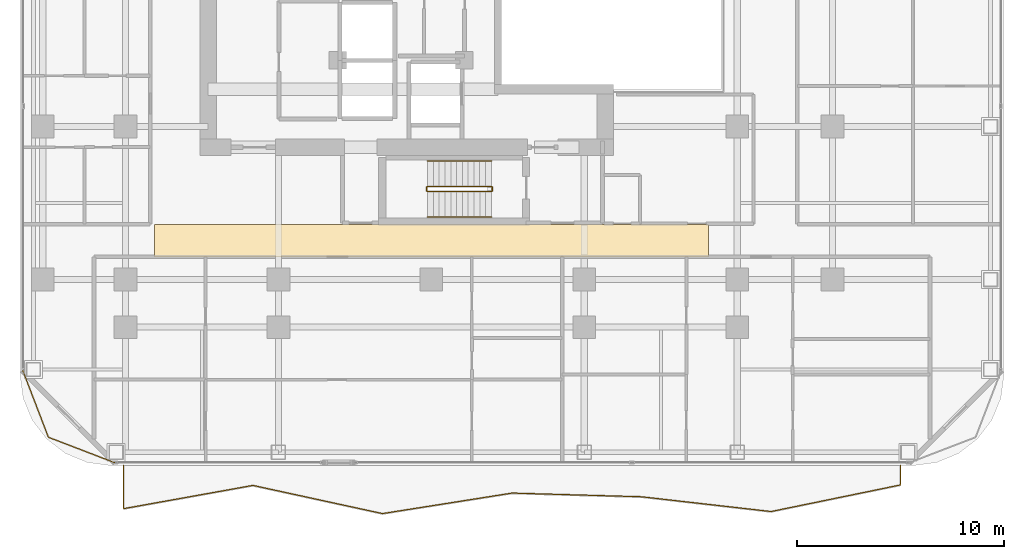
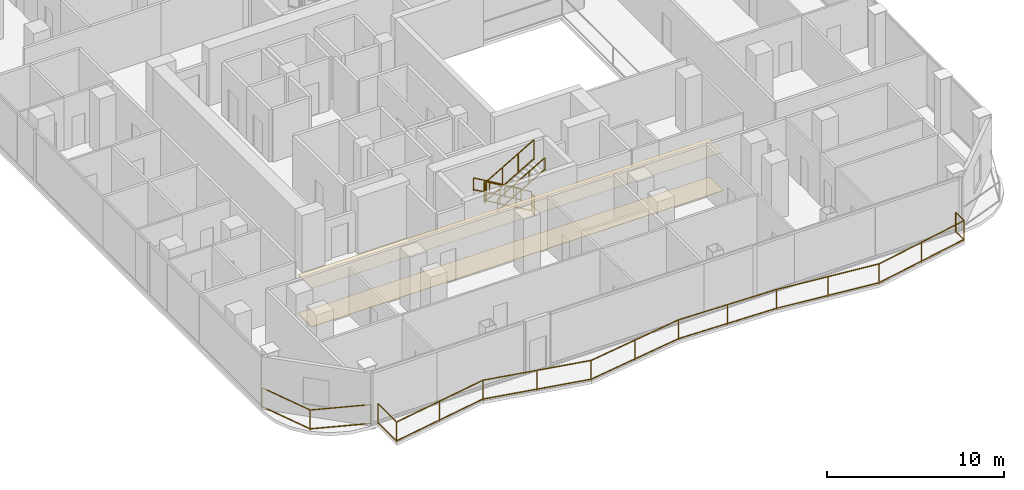
# One storey, part 25 of 27: 8 railings, 2 coverings.
"""IFC4 building model written with IfcOpenShell, lengths in metres."""

from ifc_helpers import new_model, si_unit, direction, frame, origin, origin_2d, place, context, subcontext, project, spatial, polyline, rectangle, outline, extrude, material, layer, layer_set, type_object, element, save


model = new_model("IFC4")

# Units and contexts
model_context = context("Model", 3, precision=1e-05, world=origin(), true_north=direction((0.0, 1.0)))
body_context = subcontext(model_context, "Body", "Model", "MODEL_VIEW")
ifc_project = project(units=[si_unit("LENGTHUNIT", "METRE"), si_unit("AREAUNIT", "SQUARE_METRE"), si_unit("VOLUMEUNIT", "CUBIC_METRE"), si_unit("PLANEANGLEUNIT", "RADIAN"), si_unit("MASSUNIT", "GRAM", prefix="KILO")], contexts=[model_context])

# Site, building, storey
site_placement = place(None, origin())
site = spatial("IfcSite", under=ifc_project, at=site_placement, CompositionType="ELEMENT")
building_placement = place(site_placement, origin())
building = spatial("IfcBuilding", under=site, at=building_placement, Name="Khorvyn Point Tower", CompositionType="ELEMENT")
storey_placement = place(building_placement, frame((0.0, 0.0, 164.10009765625)))
storey = spatial("IfcBuildingStorey", under=building, at=storey_placement, Name="L40", CompositionType="ELEMENT", Elevation=164.10009765625)

# Railings
ifc_material_1 = material(Name="Anodised aluminium 6063-T6 and laminated safety glass", Category="aluminium")
railing_type_1 = type_object("IfcRailingType", Name="Laminated Glass and Aluminium Balcony Guardrail 1400", PredefinedType="BALUSTRADE", material=ifc_material_1)
railing_1_placement = place(storey_placement, frame((-19.774169921875, -19.176025390625, 0.0)))
element("IfcRailing", 1, at=railing_1_placement, inside=storey, type_object=railing_type_1, Name="L40 Rounded Corner Edge Guardrail SW", PredefinedType="BALUSTRADE", context=body_context, shape_type="SweptSolid", body=[
    extrude(rectangle(XDim=0.048095703125, YDim=0.048095703125, at=origin_2d()), frame((0.0, 0.0, 1.3759765625), z_axis=(0.358382264808, -0.933574931257, 0.0), x_axis=(0.933574931257, 0.358382264808, 0.0)), (0.0, 0.0, 1.0), 3.481689453125),
    extrude(rectangle(XDim=0.048095703125, YDim=0.048095703125, at=origin_2d()), frame((0.0, 0.0, 0.080078125), z_axis=(0.358382264808, -0.933574931257, 0.0), x_axis=(0.933574931257, 0.358382264808, 0.0)), (0.0, 0.0, 1.0), 3.481689453125),
    extrude(rectangle(XDim=0.048095703125, YDim=0.048095703125, at=origin_2d()), frame((1.247802734375, -3.25048828125, 1.3759765625), z_axis=(0.933598390295, -0.358321148746, 0.0), x_axis=(0.358321148746, 0.933598390295, 0.0)), (0.0, 0.0, 1.0), 3.481689453125),
    extrude(rectangle(XDim=0.048095703125, YDim=0.048095703125, at=origin_2d()), frame((1.247802734375, -3.25048828125, 0.080078125), z_axis=(0.933598390295, -0.358321148746, 0.0), x_axis=(0.358321148746, 0.933598390295, 0.0)), (0.0, 0.0, 1.0), 3.481689453125),
    extrude(rectangle(XDim=0.0419921875, YDim=0.0419921875, at=origin_2d()), origin(), (0.0, 0.0, 1.0), 1.351806640625),
    extrude(rectangle(XDim=0.0419921875, YDim=0.0419921875, at=origin_2d()), frame((1.247802734375, -3.25048828125, 0.0)), (0.0, 0.0, 1.0), 1.351806640625),
    extrude(rectangle(XDim=0.0419921875, YDim=0.0419921875, at=origin_2d()), frame((4.498291015625, -4.498046875, 0.0)), (0.0, 0.0, 1.0), 1.351806640625),
])
railing_2_placement = place(storey_placement, frame((-14.89990234375, -23.800048828125, 0.0)))
element("IfcRailing", 2, at=railing_2_placement, inside=storey, type_object=railing_type_1, Name="L40 South Balcony Guardrail", PredefinedType="BALUSTRADE", context=body_context, shape_type="SweptSolid", body=[
    extrude(rectangle(XDim=0.048095703125, YDim=0.048095703125, at=origin_2d()), frame((0.0, 0.0, 1.3759765625), z_axis=(0.0, -1.0, 0.0), x_axis=(1.0, 0.0, 0.0)), (0.0, 0.0, 1.0), 2.08349609375),
    extrude(rectangle(XDim=0.048095703125, YDim=0.048095703125, at=origin_2d()), frame((0.0, 0.0, 0.080078125), z_axis=(0.0, -1.0, 0.0), x_axis=(1.0, 0.0, 0.0)), (0.0, 0.0, 1.0), 2.08349609375),
    extrude(rectangle(XDim=0.048095703125, YDim=0.048095703125, at=origin_2d()), frame((0.0, -2.08349609375, 1.3759765625), z_axis=(0.984225013532, 0.176921233148, 0.0), x_axis=(-0.176921233148, 0.984225013532, 0.0)), (0.0, 0.0, 1.0), 6.366943359375),
    extrude(rectangle(XDim=0.048095703125, YDim=0.048095703125, at=origin_2d()), frame((0.0, -2.08349609375, 0.080078125), z_axis=(0.984225013532, 0.176921233148, 0.0), x_axis=(-0.176921233148, 0.984225013532, 0.0)), (0.0, 0.0, 1.0), 6.366943359375),
    extrude(rectangle(XDim=0.048095703125, YDim=0.048095703125, at=origin_2d()), frame((6.2666015625, -0.95703125, 1.3759765625), z_axis=(0.97716055631, -0.212502346319, 0.0), x_axis=(0.212502346319, 0.97716055631, 0.0)), (0.0, 0.0, 1.0), 6.4130859375),
    extrude(rectangle(XDim=0.048095703125, YDim=0.048095703125, at=origin_2d()), frame((6.2666015625, -0.95703125, 0.080078125), z_axis=(0.97716055631, -0.212502346319, 0.0), x_axis=(0.212502346319, 0.97716055631, 0.0)), (0.0, 0.0, 1.0), 6.4130859375),
    extrude(rectangle(XDim=0.048095703125, YDim=0.048095703125, at=origin_2d()), frame((12.533203125, -2.31982421875, 1.3759765625), z_axis=(0.987714557358, 0.156268849051, 0.0), x_axis=(-0.156268849051, 0.987714557358, 0.0)), (0.0, 0.0, 1.0), 6.344482421875),
    extrude(rectangle(XDim=0.048095703125, YDim=0.048095703125, at=origin_2d()), frame((12.533203125, -2.31982421875, 0.080078125), z_axis=(0.987714557358, 0.156268849051, 0.0), x_axis=(-0.156268849051, 0.987714557358, 0.0)), (0.0, 0.0, 1.0), 6.344482421875),
    extrude(rectangle(XDim=0.048095703125, YDim=0.048095703125, at=origin_2d()), frame((18.7998046875, -1.328369140625, 1.3759765625), z_axis=(0.999594750209, -0.028466389902, 0.0), x_axis=(0.028466389902, 0.999594750209, 0.0)), (0.0, 0.0, 1.0), 6.269287109375),
    extrude(rectangle(XDim=0.048095703125, YDim=0.048095703125, at=origin_2d()), frame((18.7998046875, -1.328369140625, 0.080078125), z_axis=(0.999594750209, -0.028466389902, 0.0), x_axis=(0.028466389902, 0.999594750209, 0.0)), (0.0, 0.0, 1.0), 6.269287109375),
    extrude(rectangle(XDim=0.048095703125, YDim=0.048095703125, at=origin_2d()), frame((25.066650390625, -1.5068359375, 1.3759765625), z_axis=(0.993569675103, -0.113222350774, 0.0), x_axis=(0.113222350774, 0.993569675103, 0.0)), (0.0, 0.0, 1.0), 6.30712890625),
    extrude(rectangle(XDim=0.048095703125, YDim=0.048095703125, at=origin_2d()), frame((25.066650390625, -1.5068359375, 0.080078125), z_axis=(0.993569675103, -0.113222350774, 0.0), x_axis=(0.113222350774, 0.993569675103, 0.0)), (0.0, 0.0, 1.0), 6.30712890625),
    extrude(rectangle(XDim=0.048095703125, YDim=0.048095703125, at=origin_2d()), frame((31.333251953125, -2.220947265625, 1.3759765625), z_axis=(0.979506669863, 0.201411726801, 0.0), x_axis=(-0.201411726801, 0.979506669863, 0.0)), (0.0, 0.0, 1.0), 6.397705078125),
    extrude(rectangle(XDim=0.048095703125, YDim=0.048095703125, at=origin_2d()), frame((31.333251953125, -2.220947265625, 0.080078125), z_axis=(0.979506669863, 0.201411726801, 0.0), x_axis=(-0.201411726801, 0.979506669863, 0.0)), (0.0, 0.0, 1.0), 6.397705078125),
    extrude(rectangle(XDim=0.048095703125, YDim=0.048095703125, at=origin_2d()), frame((37.599853515625, -0.932373046875, 1.3759765625), z_axis=(0.0, 1.0, 0.0), x_axis=(-1.0, 0.0, 0.0)), (0.0, 0.0, 1.0), 0.932373046875),
    extrude(rectangle(XDim=0.048095703125, YDim=0.048095703125, at=origin_2d()), frame((37.599853515625, -0.932373046875, 0.080078125), z_axis=(0.0, 1.0, 0.0), x_axis=(-1.0, 0.0, 0.0)), (0.0, 0.0, 1.0), 0.932373046875),
    extrude(rectangle(XDim=0.0419921875, YDim=0.0419921875, at=origin_2d()), origin(), (0.0, 0.0, 1.0), 1.351806640625),
    extrude(rectangle(XDim=0.0419921875, YDim=0.0419921875, at=origin_2d()), frame((0.0, -2.08349609375, 0.0)), (0.0, 0.0, 1.0), 1.351806640625),
    extrude(rectangle(XDim=0.0419921875, YDim=0.0419921875, at=origin_2d()), frame((3.13330078125, -1.520263671875, 0.0)), (0.0, 0.0, 1.0), 1.351806640625),
    extrude(rectangle(XDim=0.0419921875, YDim=0.0419921875, at=origin_2d()), frame((6.2666015625, -0.95703125, 0.0)), (0.0, 0.0, 1.0), 1.351806640625),
    extrude(rectangle(XDim=0.0419921875, YDim=0.0419921875, at=origin_2d()), frame((9.39990234375, -1.638427734375, 0.0)), (0.0, 0.0, 1.0), 1.351806640625),
    extrude(rectangle(XDim=0.0419921875, YDim=0.0419921875, at=origin_2d()), frame((12.533203125, -2.31982421875, 0.0)), (0.0, 0.0, 1.0), 1.351806640625),
    extrude(rectangle(XDim=0.0419921875, YDim=0.0419921875, at=origin_2d()), frame((15.66650390625, -1.82421875, 0.0)), (0.0, 0.0, 1.0), 1.351806640625),
    extrude(rectangle(XDim=0.0419921875, YDim=0.0419921875, at=origin_2d()), frame((18.7998046875, -1.328369140625, 0.0)), (0.0, 0.0, 1.0), 1.351806640625),
    extrude(rectangle(XDim=0.0419921875, YDim=0.0419921875, at=origin_2d()), frame((21.93310546875, -1.41748046875, 0.0)), (0.0, 0.0, 1.0), 1.351806640625),
    extrude(rectangle(XDim=0.0419921875, YDim=0.0419921875, at=origin_2d()), frame((25.066650390625, -1.5068359375, 0.0)), (0.0, 0.0, 1.0), 1.351806640625),
    extrude(rectangle(XDim=0.0419921875, YDim=0.0419921875, at=origin_2d()), frame((28.199951171875, -1.86376953125, 0.0)), (0.0, 0.0, 1.0), 1.351806640625),
    extrude(rectangle(XDim=0.0419921875, YDim=0.0419921875, at=origin_2d()), frame((31.333251953125, -2.220947265625, 0.0)), (0.0, 0.0, 1.0), 1.351806640625),
    extrude(rectangle(XDim=0.0419921875, YDim=0.0419921875, at=origin_2d()), frame((34.466552734375, -1.57666015625, 0.0)), (0.0, 0.0, 1.0), 1.351806640625),
    extrude(rectangle(XDim=0.0419921875, YDim=0.0419921875, at=origin_2d()), frame((37.599853515625, -0.932373046875, 0.0)), (0.0, 0.0, 1.0), 1.351806640625),
    extrude(rectangle(XDim=0.0419921875, YDim=0.0419921875, at=origin_2d()), frame((37.599853515625, 0.0, 0.0)), (0.0, 0.0, 1.0), 1.351806640625),
])

# Coverings
ifc_material_2 = material(Name="Mineral-fibre acoustic ceiling board", Category="gypsum")
ifc_layer_1 = layer(ifc_material_2, 0.02001953125)
ifc_layer_set_1 = layer_set([ifc_layer_1], Name="Perforated Mineral-Fibre Acoustic Suspended Ceiling 20")
covering_type_1 = type_object("IfcCoveringType", Name="Perforated Mineral-Fibre Acoustic Suspended Ceiling 20", PredefinedType="CEILING", material=ifc_layer_set_1)
covering_1_placement = place(storey_placement, frame((0.0, 0.0, 2.639892578125)))
element("IfcCovering", 3, at=covering_1_placement, inside=storey, type_object=covering_type_1, Name="L40 South Corridor Acoustic Ceiling", PredefinedType="CEILING", context=body_context, shape_type="SweptSolid", body=[
    extrude(outline(polyline([(-13.39990234375, -13.7099609375), (13.39990234375, -13.7099609375), (13.39990234375, -12.139892578125), (-13.39990234375, -12.139892578125), (-13.39990234375, -13.7099609375)])), origin(), (0.0, 0.0, 1.0), 0.02001953125),
])
ifc_material_3 = material(Name="Vitrified porcelain terrazzo tile", Category="ceramic")
ifc_layer_2 = layer(ifc_material_3, 0.01806640625)
ifc_layer_set_2 = layer_set([ifc_layer_2], Name="Porcelain Terrazzo Corridor Floor Finish Tile 18")
covering_type_2 = type_object("IfcCoveringType", Name="Porcelain Terrazzo Corridor Floor Finish Tile 18", PredefinedType="FLOORING", material=ifc_layer_set_2)
covering_2_placement = place(storey_placement, origin())
element("IfcCovering", 4, at=covering_2_placement, inside=storey, type_object=covering_type_2, Name="L40 South Corridor Terrazzo Flooring", PredefinedType="FLOORING", context=body_context, shape_type="SweptSolid", body=[
    extrude(outline(polyline([(-13.39990234375, -13.7099609375), (13.39990234375, -13.7099609375), (13.39990234375, -12.139892578125), (-13.39990234375, -12.139892578125), (-13.39990234375, -13.7099609375)])), origin(), (0.0, 0.0, 1.0), 0.017822265625),
])

# Railings
ifc_material_4 = material(Name="Stainless steel 1.4301", Category="steel")
railing_type_2 = type_object("IfcRailingType", Name="Stainless Steel 304 Stair Pitch Handrail 900", PredefinedType="HANDRAIL", material=ifc_material_4)
railing_3_placement = place(storey_placement, frame((2.89990234375, -9.070068359375, 0.162353515625)))
element("IfcRailing", 5, at=railing_3_placement, inside=storey, type_object=railing_type_2, Name="L40 ST-01 stair handrail 1", PredefinedType="HANDRAIL", context=body_context, shape_type="SweptSolid", body=[
    extrude(rectangle(XDim=0.048095703125, YDim=0.048095703125, at=origin_2d()), frame((0.0, 0.0, 0.8759765625), z_axis=(-0.864873446163, 0.0, 0.501989962173), x_axis=(0.0, -1.0, 0.0)), (0.0, 0.0, 1.0), 3.56103515625),
    extrude(rectangle(XDim=0.048095703125, YDim=0.048095703125, at=origin_2d()), frame((0.0, 0.0, 0.080078125), z_axis=(-0.864873446163, 0.0, 0.501989962173), x_axis=(0.0, -1.0, 0.0)), (0.0, 0.0, 1.0), 3.56103515625),
    extrude(rectangle(XDim=0.0419921875, YDim=0.0419921875, at=origin_2d()), origin(), (0.0, 0.0, 1.0), 0.851806640625),
    extrude(rectangle(XDim=0.0419921875, YDim=0.0419921875, at=origin_2d()), frame((-1.026611328125, 0.0, 0.595947265625)), (0.0, 0.0, 1.0), 0.851806640625),
    extrude(rectangle(XDim=0.0419921875, YDim=0.0419921875, at=origin_2d()), frame((-2.05322265625, 0.0, 1.191650390625)), (0.0, 0.0, 1.0), 0.851806640625),
    extrude(rectangle(XDim=0.0419921875, YDim=0.0419921875, at=origin_2d()), frame((-3.079833984375, 0.0, 1.78759765625)), (0.0, 0.0, 1.0), 0.851806640625),
])
railing_4_placement = place(storey_placement, frame((-0.179931640625, -11.77001953125, 2.1123046875)))
element("IfcRailing", 6, at=railing_4_placement, inside=storey, type_object=railing_type_2, Name="L40 ST-01 stair handrail 2", PredefinedType="HANDRAIL", context=body_context, shape_type="SweptSolid", body=[
    extrude(rectangle(XDim=0.048095703125, YDim=0.048095703125, at=origin_2d()), frame((0.0, 0.0, 0.8759765625), z_axis=(0.864873446163, 0.0, 0.501989962173), x_axis=(0.0, 1.0, 0.0)), (0.0, 0.0, 1.0), 3.56103515625),
    extrude(rectangle(XDim=0.048095703125, YDim=0.048095703125, at=origin_2d()), frame((0.0, 0.0, 0.080078125), z_axis=(0.864873446163, 0.0, 0.501989962173), x_axis=(0.0, 1.0, 0.0)), (0.0, 0.0, 1.0), 3.56103515625),
    extrude(rectangle(XDim=0.0419921875, YDim=0.0419921875, at=origin_2d()), origin(), (0.0, 0.0, 1.0), 0.851806640625),
    extrude(rectangle(XDim=0.0419921875, YDim=0.0419921875, at=origin_2d()), frame((1.026611328125, 0.0, 0.595947265625)), (0.0, 0.0, 1.0), 0.851806640625),
    extrude(rectangle(XDim=0.0419921875, YDim=0.0419921875, at=origin_2d()), frame((2.05322265625, 0.0, 1.191650390625)), (0.0, 0.0, 1.0), 0.851806640625),
    extrude(rectangle(XDim=0.0419921875, YDim=0.0419921875, at=origin_2d()), frame((3.079833984375, 0.0, 1.78759765625)), (0.0, 0.0, 1.0), 0.851806640625),
])
railing_type_3 = type_object("IfcRailingType", Name="Stainless Steel 304 Stair Well Guardrail 1400", PredefinedType="GUARDRAIL", material=ifc_material_4)
railing_5_placement = place(storey_placement, frame((2.89990234375, -10.2900390625, 0.162353515625)))
element("IfcRailing", 7, at=railing_5_placement, inside=storey, type_object=railing_type_3, Name="L40 ST-01 stair guard 1", PredefinedType="GUARDRAIL", context=body_context, shape_type="SweptSolid", body=[
    extrude(rectangle(XDim=0.048095703125, YDim=0.048095703125, at=origin_2d()), frame((0.0, 0.0, 1.3759765625), z_axis=(-0.864873446163, 0.0, 0.501989962173), x_axis=(0.0, -1.0, 0.0)), (0.0, 0.0, 1.0), 3.56103515625),
    extrude(rectangle(XDim=0.048095703125, YDim=0.048095703125, at=origin_2d()), frame((0.0, 0.0, 0.080078125), z_axis=(-0.864873446163, 0.0, 0.501989962173), x_axis=(0.0, -1.0, 0.0)), (0.0, 0.0, 1.0), 3.56103515625),
    extrude(rectangle(XDim=0.0419921875, YDim=0.0419921875, at=origin_2d()), origin(), (0.0, 0.0, 1.0), 1.351806640625),
    extrude(rectangle(XDim=0.0419921875, YDim=0.0419921875, at=origin_2d()), frame((-1.026611328125, 0.0, 0.595947265625)), (0.0, 0.0, 1.0), 1.351806640625),
    extrude(rectangle(XDim=0.0419921875, YDim=0.0419921875, at=origin_2d()), frame((-2.05322265625, 0.0, 1.191650390625)), (0.0, 0.0, 1.0), 1.351806640625),
    extrude(rectangle(XDim=0.0419921875, YDim=0.0419921875, at=origin_2d()), frame((-3.079833984375, 0.0, 1.78759765625)), (0.0, 0.0, 1.0), 1.351806640625),
])
railing_6_placement = place(storey_placement, frame((-0.22998046875, -10.340087890625, 1.949951171875)))
element("IfcRailing", 8, at=railing_6_placement, inside=storey, type_object=railing_type_3, Name="L40 ST-01 stair guard 2", PredefinedType="GUARDRAIL", context=body_context, shape_type="SweptSolid", body=[
    extrude(rectangle(XDim=0.048095703125, YDim=0.048095703125, at=origin_2d()), frame((0.0, 0.0, 1.3759765625), z_axis=(0.0, -1.0, 0.0), x_axis=(1.0, 0.0, 0.0)), (0.0, 0.0, 1.0), 0.159912109375),
    extrude(rectangle(XDim=0.048095703125, YDim=0.048095703125, at=origin_2d()), frame((0.0, 0.0, 0.080078125), z_axis=(0.0, -1.0, 0.0), x_axis=(1.0, 0.0, 0.0)), (0.0, 0.0, 1.0), 0.159912109375),
    extrude(rectangle(XDim=0.0419921875, YDim=0.0419921875, at=origin_2d()), origin(), (0.0, 0.0, 1.0), 1.351806640625),
    extrude(rectangle(XDim=0.0419921875, YDim=0.0419921875, at=origin_2d()), frame((0.0, -0.159912109375, 0.0)), (0.0, 0.0, 1.0), 1.351806640625),
])
railing_7_placement = place(storey_placement, frame((-0.179931640625, -10.550048828125, 2.1123046875)))
element("IfcRailing", 9, at=railing_7_placement, inside=storey, type_object=railing_type_3, Name="L40 ST-01 stair guard 3", PredefinedType="GUARDRAIL", context=body_context, shape_type="SweptSolid", body=[
    extrude(rectangle(XDim=0.048095703125, YDim=0.048095703125, at=origin_2d()), frame((0.0, 0.0, 1.3759765625), z_axis=(0.864873446163, 0.0, 0.501989962173), x_axis=(0.0, 1.0, 0.0)), (0.0, 0.0, 1.0), 3.56103515625),
    extrude(rectangle(XDim=0.048095703125, YDim=0.048095703125, at=origin_2d()), frame((0.0, 0.0, 0.080078125), z_axis=(0.864873446163, 0.0, 0.501989962173), x_axis=(0.0, 1.0, 0.0)), (0.0, 0.0, 1.0), 3.56103515625),
    extrude(rectangle(XDim=0.0419921875, YDim=0.0419921875, at=origin_2d()), origin(), (0.0, 0.0, 1.0), 1.351806640625),
    extrude(rectangle(XDim=0.0419921875, YDim=0.0419921875, at=origin_2d()), frame((1.026611328125, 0.0, 0.595947265625)), (0.0, 0.0, 1.0), 1.351806640625),
    extrude(rectangle(XDim=0.0419921875, YDim=0.0419921875, at=origin_2d()), frame((2.05322265625, 0.0, 1.191650390625)), (0.0, 0.0, 1.0), 1.351806640625),
    extrude(rectangle(XDim=0.0419921875, YDim=0.0419921875, at=origin_2d()), frame((3.079833984375, 0.0, 1.78759765625)), (0.0, 0.0, 1.0), 1.351806640625),
])
railing_8_placement = place(storey_placement, frame((2.949951171875, -10.340087890625, 0.0)))
element("IfcRailing", 10, at=railing_8_placement, inside=storey, type_object=railing_type_3, Name="L40 ST-01 stair guard 4", PredefinedType="GUARDRAIL", context=body_context, shape_type="SweptSolid", body=[
    extrude(rectangle(XDim=0.048095703125, YDim=0.048095703125, at=origin_2d()), frame((0.0, 0.0, 1.3759765625), z_axis=(0.0, -1.0, 0.0), x_axis=(1.0, 0.0, 0.0)), (0.0, 0.0, 1.0), 0.159912109375),
    extrude(rectangle(XDim=0.048095703125, YDim=0.048095703125, at=origin_2d()), frame((0.0, 0.0, 0.080078125), z_axis=(0.0, -1.0, 0.0), x_axis=(1.0, 0.0, 0.0)), (0.0, 0.0, 1.0), 0.159912109375),
    extrude(rectangle(XDim=0.0419921875, YDim=0.0419921875, at=origin_2d()), origin(), (0.0, 0.0, 1.0), 1.351806640625),
    extrude(rectangle(XDim=0.0419921875, YDim=0.0419921875, at=origin_2d()), frame((0.0, -0.159912109375, 0.0)), (0.0, 0.0, 1.0), 1.351806640625),
])

save(model, "model.ifc")
